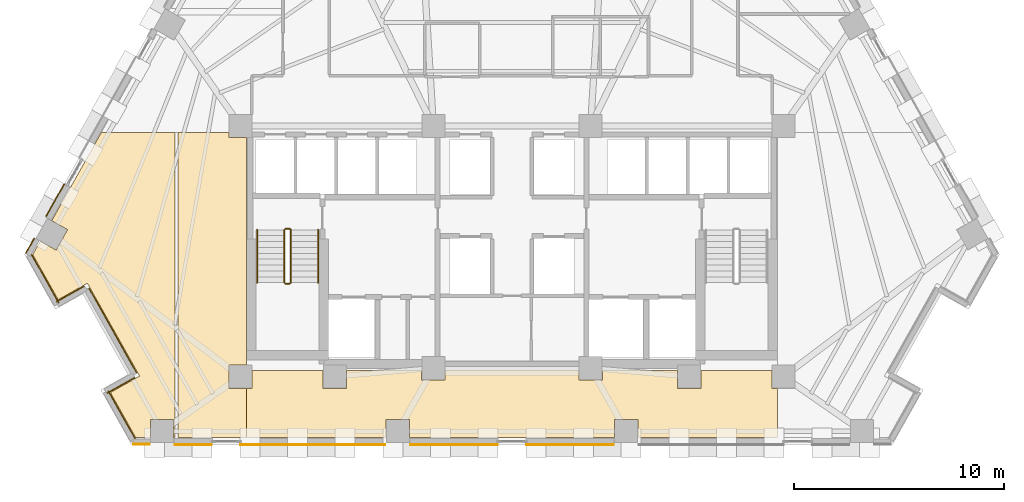
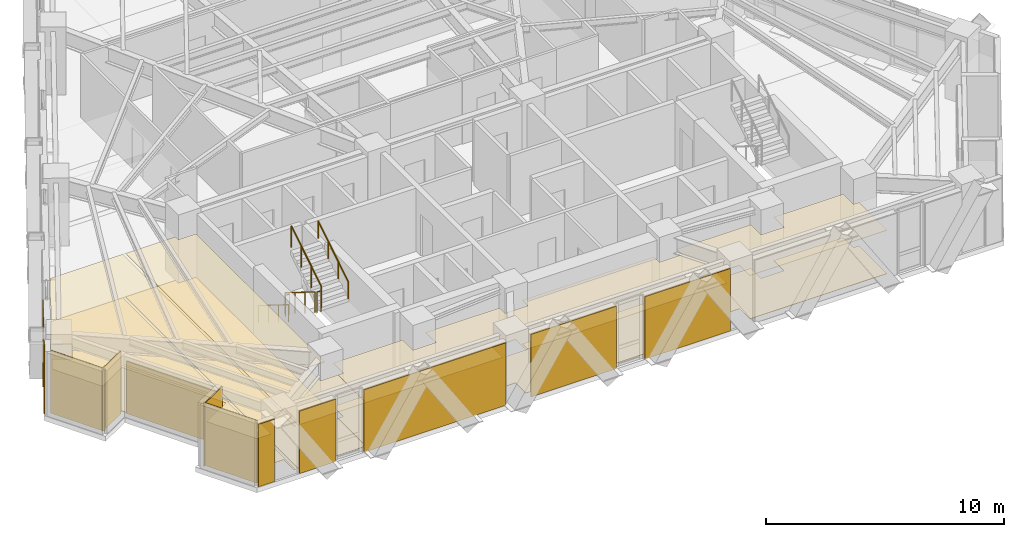
# One storey, part 10 of 13: 18 coverings, 6 railings.
"""IFC4 building model written with IfcOpenShell, lengths in metres."""

from ifc_helpers import new_model, si_unit, direction, frame, origin, origin_2d, place, context, subcontext, project, spatial, polyline, circle, outline, extrude, material, layer, layer_set, type_object, element, save


model = new_model("IFC4")

# Units and contexts
model_context = context("Model", 3, precision=1e-05, world=origin(), true_north=direction((0.0, 1.0)))
body_context = subcontext(model_context, "Body", "Model", "MODEL_VIEW")
ifc_project = project(units=[si_unit("LENGTHUNIT", "METRE"), si_unit("AREAUNIT", "SQUARE_METRE"), si_unit("VOLUMEUNIT", "CUBIC_METRE"), si_unit("PLANEANGLEUNIT", "RADIAN"), si_unit("MASSUNIT", "GRAM", prefix="KILO")], contexts=[model_context])

# Site, building, storey
site_placement = place(None, origin())
site = spatial("IfcSite", under=ifc_project, at=site_placement, CompositionType="ELEMENT")
building_placement = place(site_placement, origin())
building = spatial("IfcBuilding", under=site, at=building_placement, Name="Quenlor Broadcast Tower", CompositionType="ELEMENT")
storey_placement = place(building_placement, frame((0.0, 0.0, 95.0)))
storey = spatial("IfcBuildingStorey", under=building, at=storey_placement, Name="L25", CompositionType="ELEMENT", Elevation=95.0)

# Coverings
ifc_material_1 = material(Name="Acoustic Mineral Fibre Board", Category="other")
ifc_layer_1 = layer(ifc_material_1, 0.02490234375)
ifc_layer_set_1 = layer_set([ifc_layer_1], Name="Acoustic Perforated Mineral Tile Ceiling 25")
covering_type_1 = type_object("IfcCoveringType", Name="Acoustic Perforated Mineral Tile Ceiling 25", PredefinedType="CEILING", material=ifc_layer_set_1)
covering_1_placement = place(storey_placement, frame((0.0, 0.0, 2.22509765625)))
element("IfcCovering", 1, at=covering_1_placement, inside=storey, type_object=covering_type_1, Name="L25 Acoustic Ceiling L25-38-3", PredefinedType="CEILING", context=body_context, shape_type="SweptSolid", body=[
    extrude(outline(polyline([(-22.85693359375, -10.927978515625), (-22.49853515625, -10.290771484375), (-21.741943359375, -10.71630859375), (-21.19482421875, -9.74365234375), (-21.951416015625, -9.318115234375), (-19.58984375, -5.1201171875), (-16.06005859375, -5.1201171875), (-16.06005859375, -19.659912109375), (-16.134521484375, -19.659912109375), (-16.134521484375, -18.7919921875), (-17.25048828125, -18.7919921875), (-17.25048828125, -19.659912109375), (-17.9453125, -19.659912109375), (-19.15380859375, -17.510986328125), (-17.759521484375, -16.7265625), (-20.25, -12.299072265625), (-21.64453125, -13.08349609375), (-22.85693359375, -10.927978515625)])), origin(), (0.0, 0.0, 1.0), 0.02490234375),
])
covering_2_placement = place(storey_placement, frame((0.0, 0.0, 2.22509765625)))
element("IfcCovering", 2, at=covering_2_placement, inside=storey, type_object=covering_type_1, Name="L25 Acoustic Ceiling L25-38-4", PredefinedType="CEILING", context=body_context, shape_type="SweptSolid", body=[
    extrude(outline(polyline([(-13.508056640625, -5.35791015625), (-12.64990234375, -5.35791015625), (-12.64990234375, -16.19189453125), (-13.508056640625, -16.19189453125), (-13.508056640625, -17.30810546875), (-12.64990234375, -17.30810546875), (-12.64990234375, -19.659912109375), (-15.93994140625, -19.659912109375), (-15.93994140625, -5.1201171875), (-13.508056640625, -5.1201171875), (-13.508056640625, -5.35791015625)])), origin(), (0.0, 0.0, 1.0), 0.02490234375),
])
covering_3_placement = place(storey_placement, frame((0.0, 0.0, 2.22509765625)))
element("IfcCovering", 3, at=covering_3_placement, inside=storey, type_object=covering_type_1, Name="L25 Acoustic Ceiling L25-38-6", PredefinedType="CEILING", context=body_context, shape_type="SweptSolid", body=[
    extrude(outline(polyline([(-12.39208984375, -17.30810546875), (-12.39208984375, -16.449951171875), (-9.008056640625, -16.449951171875), (-9.008056640625, -17.30810546875), (-7.89208984375, -17.30810546875), (-7.89208984375, -16.449951171875), (-4.30810546875, -16.449951171875), (-4.30810546875, -16.907958984375), (-3.19189453125, -16.907958984375), (-3.19189453125, -16.449951171875), (3.19189453125, -16.449951171875), (3.19189453125, -16.907958984375), (4.30810546875, -16.907958984375), (4.30810546875, -16.449951171875), (7.89208984375, -16.449951171875), (7.89208984375, -17.30810546875), (9.008056640625, -17.30810546875), (9.008056640625, -16.449951171875), (12.39208984375, -16.449951171875), (12.39208984375, -17.30810546875), (12.64990234375, -17.30810546875), (12.64990234375, -19.659912109375), (6.001220703125, -19.659912109375), (6.001220703125, -18.7919921875), (4.88525390625, -18.7919921875), (4.88525390625, -19.659912109375), (-4.88525390625, -19.659912109375), (-4.88525390625, -18.7919921875), (-6.001220703125, -18.7919921875), (-6.001220703125, -19.659912109375), (-12.64990234375, -19.659912109375), (-12.64990234375, -17.30810546875), (-12.39208984375, -17.30810546875)])), origin(), (0.0, 0.0, 1.0), 0.02490234375),
])
ifc_material_2 = material(Name="Architectural Terracotta Ceramic", Category="masonry")
ifc_layer_2 = layer(ifc_material_2, 0.044921875)
ifc_layer_set_2 = layer_set([ifc_layer_2], Name="Fluted Terracotta Rainscreen Cladding Panel")
covering_type_2 = type_object("IfcCoveringType", Name="Fluted Terracotta Rainscreen Cladding Panel", PredefinedType="CLADDING", material=ifc_layer_set_2)
covering_4_placement = place(storey_placement, frame((0.0, 0.0, 0.02001953125)))
element("IfcCovering", 4, at=covering_4_placement, inside=storey, type_object=covering_type_2, Name="L25 Terracotta Rainscreen Cladding L25-SHD-SS1", PredefinedType="CLADDING", context=body_context, shape_type="SweptSolid", body=[
    extrude(outline(polyline([(-17.277587890625, -19.951904296875), (-18.053955078125, -19.951904296875), (-18.053955078125, -19.9970703125), (-17.277587890625, -19.9970703125), (-17.277587890625, -19.951904296875)])), origin(), (0.0, 0.0, 1.0), 3.2099609375),
])
covering_5_placement = place(storey_placement, frame((0.0, 0.0, 0.02001953125)))
element("IfcCovering", 5, at=covering_5_placement, inside=storey, type_object=covering_type_2, Name="L25 Terracotta Rainscreen Cladding L25-SC-SP1", PredefinedType="CLADDING", context=body_context, shape_type="SweptSolid", body=[
    extrude(outline(polyline([(-6.048095703125, -19.971923828125), (-12.94873046875, -19.971923828125), (-12.94873046875, -20.01708984375), (-6.048095703125, -20.01708984375), (-6.048095703125, -19.971923828125)])), origin(), (0.0, 0.0, 1.0), 3.2099609375),
])
covering_6_placement = place(storey_placement, frame((0.0, 0.0, 0.02001953125)))
element("IfcCovering", 6, at=covering_6_placement, inside=storey, type_object=covering_type_2, Name="L25 Terracotta Rainscreen Cladding L25-SC-SP2", PredefinedType="CLADDING", context=body_context, shape_type="SweptSolid", body=[
    extrude(outline(polyline([(-14.32177734375, -19.971923828125), (-16.08740234375, -19.971923828125), (-16.08740234375, -20.01708984375), (-14.32177734375, -20.01708984375), (-14.32177734375, -19.971923828125)])), origin(), (0.0, 0.0, 1.0), 3.2099609375),
])
covering_7_placement = place(storey_placement, frame((0.0, 0.0, 0.02001953125)))
element("IfcCovering", 7, at=covering_7_placement, inside=storey, type_object=covering_type_2, Name="L25 Terracotta Rainscreen Cladding L25-S-SP1", PredefinedType="CLADDING", context=body_context, shape_type="SweptSolid", body=[
    extrude(outline(polyline([(4.84326171875, -19.971923828125), (0.6865234375, -19.971923828125), (0.6865234375, -20.01708984375), (4.84326171875, -20.01708984375), (4.84326171875, -19.971923828125)])), origin(), (0.0, 0.0, 1.0), 3.2099609375),
])
covering_8_placement = place(storey_placement, frame((0.0, 0.0, 0.02001953125)))
element("IfcCovering", 8, at=covering_8_placement, inside=storey, type_object=covering_type_2, Name="L25 Terracotta Rainscreen Cladding L25-S-SP2", PredefinedType="CLADDING", context=body_context, shape_type="SweptSolid", body=[
    extrude(outline(polyline([(-0.6865234375, -19.971923828125), (-4.84326171875, -19.971923828125), (-4.84326171875, -20.01708984375), (-0.6865234375, -20.01708984375), (-0.6865234375, -19.971923828125)])), origin(), (0.0, 0.0, 1.0), 3.2099609375),
])
covering_9_placement = place(storey_placement, frame((0.0, 0.0, 0.02001953125)))
element("IfcCovering", 9, at=covering_9_placement, inside=storey, type_object=covering_type_2, Name="L25 Terracotta Rainscreen Cladding L25-SHD-NWS0", PredefinedType="CLADDING", context=body_context, shape_type="SweptSolid", body=[
    extrude(outline(polyline([(-23.160888671875, -10.873046875), (-22.76611328125, -10.171142578125), (-22.805419921875, -10.149169921875), (-23.2001953125, -10.85107421875), (-23.160888671875, -10.873046875)])), origin(), (0.0, 0.0, 1.0), 3.2099609375),
])
covering_10_placement = place(storey_placement, frame((0.0, 0.0, 0.02001953125)))
element("IfcCovering", 10, at=covering_10_placement, inside=storey, type_object=covering_type_2, Name="L25 Terracotta Rainscreen Cladding L25-NWA-SP1", PredefinedType="CLADDING", context=body_context, shape_type="SweptSolid", body=[
    extrude(outline(polyline([(-22.2001953125, -9.1240234375), (-21.325927734375, -7.56982421875), (-21.364990234375, -7.5478515625), (-22.239501953125, -9.10205078125), (-22.2001953125, -9.1240234375)])), origin(), (0.0, 0.0, 1.0), 3.2099609375),
])
covering_11_placement = place(storey_placement, frame((0.0, 0.0, 0.02001953125)))
element("IfcCovering", 11, at=covering_11_placement, inside=storey, type_object=covering_type_2, Name="L25 Terracotta Rainscreen Cladding L25-CNR-12", PredefinedType="CLADDING", context=body_context, shape_type="SweptSolid", body=[
    extrude(outline(polyline([(-22.931396484375, -10.93408203125), (-21.630126953125, -13.24755859375), (-21.591064453125, -13.2255859375), (-22.892333984375, -10.912109375), (-22.931396484375, -10.93408203125)])), origin(), (0.0, 0.0, 1.0), 3.2099609375),
])
covering_12_placement = place(storey_placement, frame((0.0, 0.0, 0.02001953125)))
element("IfcCovering", 12, at=covering_12_placement, inside=storey, type_object=covering_type_2, Name="L25 Terracotta Rainscreen Cladding L25-CNR-13", PredefinedType="CLADDING", context=body_context, shape_type="SweptSolid", body=[
    extrude(outline(polyline([(-21.70703125, -13.19677734375), (-20.399658203125, -12.461181640625), (-20.421630859375, -12.422119140625), (-21.72900390625, -13.157470703125), (-21.70703125, -13.19677734375)])), origin(), (0.0, 0.0, 1.0), 3.2099609375),
])
covering_13_placement = place(storey_placement, frame((0.0, 0.0, 0.02001953125)))
element("IfcCovering", 13, at=covering_13_placement, inside=storey, type_object=covering_type_2, Name="L25 Terracotta Rainscreen Cladding L25-CNR-14", PredefinedType="CLADDING", context=body_context, shape_type="SweptSolid", body=[
    extrude(outline(polyline([(-20.186767578125, -12.55029296875), (-17.921630859375, -16.576904296875), (-17.88232421875, -16.554931640625), (-20.1474609375, -12.5283203125), (-20.186767578125, -12.55029296875)])), origin(), (0.0, 0.0, 1.0), 2.681884765625),
])
covering_14_placement = place(storey_placement, frame((0.0, 0.0, 0.02001953125)))
element("IfcCovering", 14, at=covering_14_placement, inside=storey, type_object=covering_type_2, Name="L25 Terracotta Rainscreen Cladding L25-CNR-15", PredefinedType="CLADDING", context=body_context, shape_type="SweptSolid", body=[
    extrude(outline(polyline([(-18.010498046875, -16.789794921875), (-19.31787109375, -17.525390625), (-19.2958984375, -17.564697265625), (-17.988525390625, -16.8291015625), (-18.010498046875, -16.789794921875)])), origin(), (0.0, 0.0, 1.0), 3.2099609375),
])
covering_15_placement = place(storey_placement, frame((0.0, 0.0, 0.02001953125)))
element("IfcCovering", 15, at=covering_15_placement, inside=storey, type_object=covering_type_2, Name="L25 Terracotta Rainscreen Cladding L25-CNR-16", PredefinedType="CLADDING", context=body_context, shape_type="SweptSolid", body=[
    extrude(outline(polyline([(-19.26708984375, -17.448486328125), (-17.987060546875, -19.72412109375), (-17.947998046875, -19.7021484375), (-19.227783203125, -17.426513671875), (-19.26708984375, -17.448486328125)])), origin(), (0.0, 0.0, 1.0), 3.2099609375),
])
ifc_material_3 = material(Name="Terrazzo Stone Finish", Category="masonry")
ifc_layer_3 = layer(ifc_material_3, 0.02001953125)
ifc_layer_set_3 = layer_set([ifc_layer_3], Name="Polished Sandstone Terrazzo Flooring 20")
covering_type_3 = type_object("IfcCoveringType", Name="Polished Sandstone Terrazzo Flooring 20", PredefinedType="FLOORING", material=ifc_layer_set_3)
covering_16_placement = place(storey_placement, origin())
element("IfcCovering", 16, at=covering_16_placement, inside=storey, type_object=covering_type_3, Name="L25 Terrazzo Flooring L25-38-3", PredefinedType="FLOORING", context=body_context, shape_type="SweptSolid", body=[
    extrude(outline(polyline([(-22.85693359375, -10.927978515625), (-22.49853515625, -10.290771484375), (-21.741943359375, -10.71630859375), (-21.19482421875, -9.74365234375), (-21.951416015625, -9.318115234375), (-19.58984375, -5.1201171875), (-16.06005859375, -5.1201171875), (-16.06005859375, -19.659912109375), (-16.134521484375, -19.659912109375), (-16.134521484375, -18.7919921875), (-17.25048828125, -18.7919921875), (-17.25048828125, -19.659912109375), (-17.9453125, -19.659912109375), (-19.15380859375, -17.510986328125), (-17.759521484375, -16.7265625), (-20.25, -12.299072265625), (-21.64453125, -13.08349609375), (-22.85693359375, -10.927978515625)])), origin(), (0.0, 0.0, 1.0), 0.02001953125),
])
covering_17_placement = place(storey_placement, origin())
element("IfcCovering", 17, at=covering_17_placement, inside=storey, type_object=covering_type_3, Name="L25 Terrazzo Flooring L25-38-4", PredefinedType="FLOORING", context=body_context, shape_type="SweptSolid", body=[
    extrude(outline(polyline([(-13.508056640625, -5.35791015625), (-12.64990234375, -5.35791015625), (-12.64990234375, -16.19189453125), (-13.508056640625, -16.19189453125), (-13.508056640625, -17.30810546875), (-12.64990234375, -17.30810546875), (-12.64990234375, -19.659912109375), (-15.93994140625, -19.659912109375), (-15.93994140625, -5.1201171875), (-13.508056640625, -5.1201171875), (-13.508056640625, -5.35791015625)])), origin(), (0.0, 0.0, 1.0), 0.02001953125),
])
covering_18_placement = place(storey_placement, origin())
element("IfcCovering", 18, at=covering_18_placement, inside=storey, type_object=covering_type_3, Name="L25 Terrazzo Flooring L25-38-6", PredefinedType="FLOORING", context=body_context, shape_type="SweptSolid", body=[
    extrude(outline(polyline([(-12.39208984375, -17.30810546875), (-12.39208984375, -16.449951171875), (-9.008056640625, -16.449951171875), (-9.008056640625, -17.30810546875), (-7.89208984375, -17.30810546875), (-7.89208984375, -16.449951171875), (-4.30810546875, -16.449951171875), (-4.30810546875, -16.907958984375), (-3.19189453125, -16.907958984375), (-3.19189453125, -16.449951171875), (3.19189453125, -16.449951171875), (3.19189453125, -16.907958984375), (4.30810546875, -16.907958984375), (4.30810546875, -16.449951171875), (7.89208984375, -16.449951171875), (7.89208984375, -17.30810546875), (9.008056640625, -17.30810546875), (9.008056640625, -16.449951171875), (12.39208984375, -16.449951171875), (12.39208984375, -17.30810546875), (12.64990234375, -17.30810546875), (12.64990234375, -19.659912109375), (6.001220703125, -19.659912109375), (6.001220703125, -18.7919921875), (4.88525390625, -18.7919921875), (4.88525390625, -19.659912109375), (-4.88525390625, -19.659912109375), (-4.88525390625, -18.7919921875), (-6.001220703125, -18.7919921875), (-6.001220703125, -19.659912109375), (-12.64990234375, -19.659912109375), (-12.64990234375, -17.30810546875), (-12.39208984375, -17.30810546875)])), origin(), (0.0, 0.0, 1.0), 0.02001953125),
])

# Railings
ifc_material_4 = material(Name="Anodised Aluminium", Category="aluminium")
railing_type_1 = type_object("IfcRailingType", Name="Stainless Aluminium Wall Handrail 900", PredefinedType="HANDRAIL", material=ifc_material_4)
railing_1_placement = place(storey_placement, frame((-12.14990234375, -9.75, 0.175048828125)))
element("IfcRailing", 19, at=railing_1_placement, inside=storey, type_object=railing_type_1, Name="L25 ST-1 stair handrail 1", PredefinedType="HANDRAIL", context=body_context, shape_type="SweptSolid", body=[
    extrude(circle(Radius=0.02392578125, at=origin_2d()), frame((0.0, 0.0, 0.8759765625), z_axis=(0.0, -0.848007534815, 0.529984170421), x_axis=(1.0, 0.0, 0.0)), (0.0, 0.0, 1.0), 2.9716796875),
    extrude(circle(Radius=0.02099609375, at=origin_2d()), origin(), (0.0, 0.0, 1.0), 0.851806640625),
    extrude(circle(Radius=0.02099609375, at=origin_2d()), frame((0.0, -0.840087890625, 0.52490234375)), (0.0, 0.0, 1.0), 0.851806640625),
    extrude(circle(Radius=0.02099609375, at=origin_2d()), frame((0.0, -1.679931640625, 1.050048828125)), (0.0, 0.0, 1.0), 0.851806640625),
    extrude(circle(Radius=0.02099609375, at=origin_2d()), frame((0.0, -2.52001953125, 1.574951171875)), (0.0, 0.0, 1.0), 0.851806640625),
])
railing_2_placement = place(storey_placement, frame((-9.25, -12.27001953125, 1.925048828125)))
element("IfcRailing", 20, at=railing_2_placement, inside=storey, type_object=railing_type_1, Name="L25 ST-1 stair handrail 2", PredefinedType="HANDRAIL", context=body_context, shape_type="SweptSolid", body=[
    extrude(circle(Radius=0.02392578125, at=origin_2d()), frame((0.0, 0.0, 0.8759765625), z_axis=(0.0, 0.848007534815, 0.529984170421), x_axis=(-1.0, 0.0, 0.0)), (0.0, 0.0, 1.0), 2.9716796875),
    extrude(circle(Radius=0.02099609375, at=origin_2d()), origin(), (0.0, 0.0, 1.0), 0.851806640625),
    extrude(circle(Radius=0.02099609375, at=origin_2d()), frame((0.0, 0.840087890625, 0.52490234375)), (0.0, 0.0, 1.0), 0.851806640625),
    extrude(circle(Radius=0.02099609375, at=origin_2d()), frame((0.0, 1.679931640625, 1.050048828125)), (0.0, 0.0, 1.0), 0.851806640625),
    extrude(circle(Radius=0.02099609375, at=origin_2d()), frame((0.0, 2.52001953125, 1.574951171875)), (0.0, 0.0, 1.0), 0.851806640625),
])
ifc_material_5 = material(Name="Steel S355", Category="steel")
railing_type_2 = type_object("IfcRailingType", Name="Tubular Steel S355 Stair Guardrail 1100", PredefinedType="BALUSTRADE", material=ifc_material_5)
railing_3_placement = place(storey_placement, frame((-10.85009765625, -9.75, 0.175048828125)))
element("IfcRailing", 21, at=railing_3_placement, inside=storey, type_object=railing_type_2, Name="L25 ST-1 stair guard 1", PredefinedType="BALUSTRADE", context=body_context, shape_type="SweptSolid", body=[
    extrude(circle(Radius=0.02392578125, at=origin_2d()), frame((0.0, 0.0, 1.076171875), z_axis=(0.0, -0.848007534815, 0.529984170421), x_axis=(1.0, 0.0, 0.0)), (0.0, 0.0, 1.0), 2.9716796875),
    extrude(circle(Radius=0.02099609375, at=origin_2d()), origin(), (0.0, 0.0, 1.0), 1.052001953125),
    extrude(circle(Radius=0.02099609375, at=origin_2d()), frame((0.0, -0.840087890625, 0.52490234375)), (0.0, 0.0, 1.0), 1.052001953125),
    extrude(circle(Radius=0.02099609375, at=origin_2d()), frame((0.0, -1.679931640625, 1.050048828125)), (0.0, 0.0, 1.0), 1.052001953125),
    extrude(circle(Radius=0.02099609375, at=origin_2d()), frame((0.0, -2.52001953125, 1.574951171875)), (0.0, 0.0, 1.0), 1.052001953125),
])
railing_4_placement = place(storey_placement, frame((-10.800048828125, -12.320068359375, 1.75)))
element("IfcRailing", 22, at=railing_4_placement, inside=storey, type_object=railing_type_2, Name="L25 ST-1 stair guard 2", PredefinedType="BALUSTRADE", context=body_context, shape_type="SweptSolid", body=[
    extrude(circle(Radius=0.02392578125, at=origin_2d()), frame((0.0, 0.0, 1.076171875), z_axis=(1.0, 0.0, 0.0), x_axis=(0.0, 1.0, 0.0)), (0.0, 0.0, 1.0), 0.199951171875),
    extrude(circle(Radius=0.02099609375, at=origin_2d()), origin(), (0.0, 0.0, 1.0), 1.052001953125),
    extrude(circle(Radius=0.02099609375, at=origin_2d()), frame((0.199951171875, 0.0, 0.0)), (0.0, 0.0, 1.0), 1.052001953125),
])
railing_5_placement = place(storey_placement, frame((-10.550048828125, -12.27001953125, 1.925048828125)))
element("IfcRailing", 23, at=railing_5_placement, inside=storey, type_object=railing_type_2, Name="L25 ST-1 stair guard 3", PredefinedType="BALUSTRADE", context=body_context, shape_type="SweptSolid", body=[
    extrude(circle(Radius=0.02392578125, at=origin_2d()), frame((0.0, 0.0, 1.076171875), z_axis=(0.0, 0.848007534815, 0.529984170421), x_axis=(-1.0, 0.0, 0.0)), (0.0, 0.0, 1.0), 2.9716796875),
    extrude(circle(Radius=0.02099609375, at=origin_2d()), origin(), (0.0, 0.0, 1.0), 1.052001953125),
    extrude(circle(Radius=0.02099609375, at=origin_2d()), frame((0.0, 0.840087890625, 0.52490234375)), (0.0, 0.0, 1.0), 1.052001953125),
    extrude(circle(Radius=0.02099609375, at=origin_2d()), frame((0.0, 1.679931640625, 1.050048828125)), (0.0, 0.0, 1.0), 1.052001953125),
    extrude(circle(Radius=0.02099609375, at=origin_2d()), frame((0.0, 2.52001953125, 1.574951171875)), (0.0, 0.0, 1.0), 1.052001953125),
])
railing_6_placement = place(storey_placement, frame((-10.800048828125, -9.699951171875, 0.0)))
element("IfcRailing", 24, at=railing_6_placement, inside=storey, type_object=railing_type_2, Name="L25 ST-1 stair guard 4", PredefinedType="BALUSTRADE", context=body_context, shape_type="SweptSolid", body=[
    extrude(circle(Radius=0.02392578125, at=origin_2d()), frame((0.0, 0.0, 1.076171875), z_axis=(1.0, 0.0, 0.0), x_axis=(0.0, 1.0, 0.0)), (0.0, 0.0, 1.0), 0.199951171875),
    extrude(circle(Radius=0.02099609375, at=origin_2d()), origin(), (0.0, 0.0, 1.0), 1.052001953125),
    extrude(circle(Radius=0.02099609375, at=origin_2d()), frame((0.199951171875, 0.0, 0.0)), (0.0, 0.0, 1.0), 1.052001953125),
])

save(model, "model.ifc")
